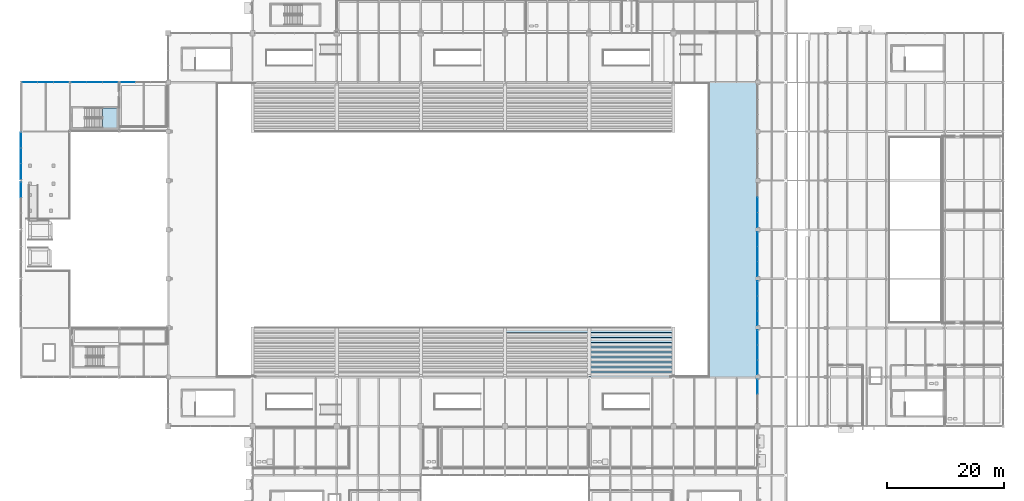
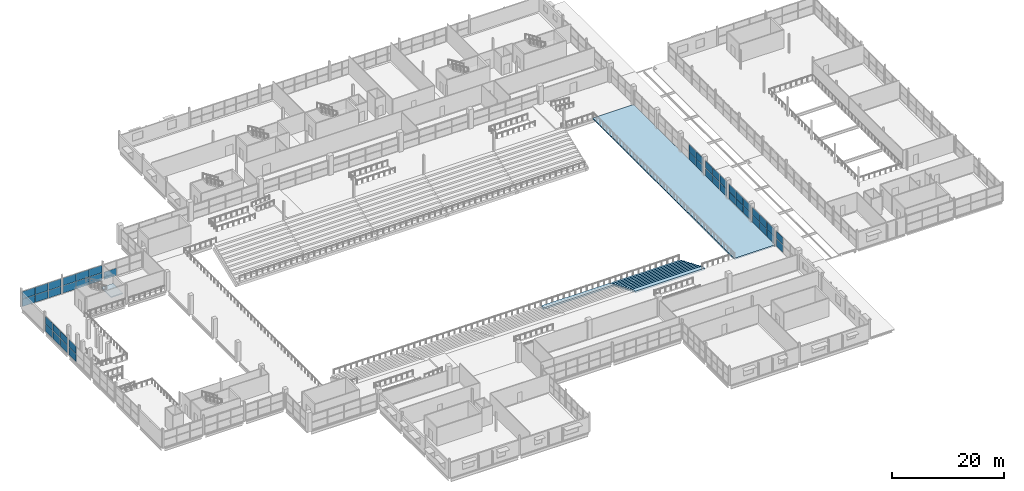
# One storey, part 125 of 161: 45 plates, 13 slabs, 11 elements without a shape of their own.
"""IFC4 building model written with IfcOpenShell, lengths in metres."""

from ifc_helpers import new_model, si_unit, direction, frame, origin, origin_2d, place, context, subcontext, project, spatial, polyline, rectangle, outline, extrude, material, layer, layer_set, type_object, element, aggregate, save


model = new_model("IFC4")

# Units and contexts
model_context = context("Model", 3, precision=1e-05, world=origin(), true_north=direction((0.0, 1.0)))
body_context = subcontext(model_context, "Body", "Model", "MODEL_VIEW")
ifc_project = project(units=[si_unit("LENGTHUNIT", "METRE"), si_unit("AREAUNIT", "SQUARE_METRE"), si_unit("VOLUMEUNIT", "CUBIC_METRE"), si_unit("PLANEANGLEUNIT", "RADIAN"), si_unit("MASSUNIT", "GRAM", prefix="KILO"), si_unit("THERMODYNAMICTEMPERATUREUNIT", "KELVIN")], contexts=[model_context])

# Site, building, storey
site_placement = place(None, origin())
site = spatial("IfcSite", under=ifc_project, at=site_placement, CompositionType="ELEMENT")
building_placement = place(site_placement, origin())
building = spatial("IfcBuilding", under=site, at=building_placement, Name="Nduvali Passage Aquatics Centre", CompositionType="ELEMENT")
storey_placement = place(building_placement, frame((0.0, 0.0, 4.800048828125)))
storey = spatial("IfcBuildingStorey", under=building, at=storey_placement, Name="L01", CompositionType="ELEMENT", Elevation=4.800048828125)

# Curtain wall, plates
ifc_material_1 = material(Name="Aluminium EN AW-6063 T6", Category="aluminium")
curtain_wall_type_1 = type_object("IfcCurtainWallType", Name="ENV-CW-HALL", PredefinedType="NOTDEFINED", material=ifc_material_1)
curtain_wall_1_placement = place(storey_placement, origin())
curtain_wall_1 = element("IfcCurtainWall", 1, at=curtain_wall_1_placement, inside=storey, type_object=curtain_wall_type_1, Name="L01 East Passage Pool Hall Gallery Glazing 015", PredefinedType="NOTDEFINED")
ifc_material_2 = material(Name="Laminated solar-control low-E IGU")
ifc_layer_1 = layer(ifc_material_2, 0.031982421875, Name="Laminated solar-control low-E IGU")
ifc_layer_set_1 = layer_set([ifc_layer_1], Name="Laminated solar-control low-E IGU")
plate_type = type_object("IfcPlateType", Name="ENV-PLT-GLZ32", PredefinedType="CURTAIN_PANEL", material=ifc_layer_set_1)
plate_1_placement = place(storey_placement, frame((126.0, 31.947509765625, 0.06005859375), z_axis=(0.0, 0.0, 1.0), x_axis=(0.0, 1.0, 0.0)))
plate_1 = element("IfcPlate", 2, at=plate_1_placement, type_object=plate_type, Name="East Passage Pool Hall Gallery Glazing Glazed Panel B3-R1", PredefinedType="CURTAIN_PANEL", context=body_context, shape_type="SweptSolid", body=[
    extrude(rectangle(XDim=2.43505859375, YDim=0.031982421875, at=origin_2d()), origin(), (0.0, 0.0, 1.0), 1.6083984375),
])
plate_2_placement = place(storey_placement, frame((126.0, 31.947509765625, 1.728271484375), z_axis=(0.0, 0.0, 1.0), x_axis=(0.0, 1.0, 0.0)))
plate_2 = element("IfcPlate", 3, at=plate_2_placement, type_object=plate_type, Name="East Passage Pool Hall Gallery Glazing Glazed Panel B3-R2", PredefinedType="CURTAIN_PANEL", context=body_context, shape_type="SweptSolid", body=[
    extrude(rectangle(XDim=2.43505859375, YDim=0.031982421875, at=origin_2d()), origin(), (0.0, 0.0, 1.0), 1.6083984375),
])
aggregate(curtain_wall_1, [plate_1, plate_2])

curtain_wall_2_placement = place(storey_placement, origin())
curtain_wall_2 = element("IfcCurtainWall", 4, at=curtain_wall_2_placement, inside=storey, type_object=curtain_wall_type_1, Name="L01 East Passage Pool Hall Gallery Glazing 019", PredefinedType="NOTDEFINED")
plate_3_placement = place(storey_placement, frame((126.0, 35.264892578125, 0.06005859375), z_axis=(0.0, 0.0, 1.0), x_axis=(0.0, 1.0, 0.0)))
plate_3 = element("IfcPlate", 5, at=plate_3_placement, type_object=plate_type, Name="East Passage Pool Hall Gallery Glazing Glazed Panel B1-R1", PredefinedType="CURTAIN_PANEL", context=body_context, shape_type="SweptSolid", body=[
    extrude(rectangle(XDim=2.4599609375, YDim=0.031982421875, at=origin_2d()), origin(), (0.0, 0.0, 1.0), 1.6083984375),
])
plate_4_placement = place(storey_placement, frame((126.0, 35.264892578125, 1.728271484375), z_axis=(0.0, 0.0, 1.0), x_axis=(0.0, 1.0, 0.0)))
plate_4 = element("IfcPlate", 6, at=plate_4_placement, type_object=plate_type, Name="East Passage Pool Hall Gallery Glazing Glazed Panel B1-R2", PredefinedType="CURTAIN_PANEL", context=body_context, shape_type="SweptSolid", body=[
    extrude(rectangle(XDim=2.4599609375, YDim=0.031982421875, at=origin_2d()), origin(), (0.0, 0.0, 1.0), 1.6083984375),
])
plate_5_placement = place(storey_placement, frame((126.0, 37.800048828125, 0.06005859375), z_axis=(0.0, 0.0, 1.0), x_axis=(0.0, 1.0, 0.0)))
plate_5 = element("IfcPlate", 7, at=plate_5_placement, type_object=plate_type, Name="East Passage Pool Hall Gallery Glazing Glazed Panel B2-R1", PredefinedType="CURTAIN_PANEL", context=body_context, shape_type="SweptSolid", body=[
    extrude(rectangle(XDim=2.489990234375, YDim=0.031982421875, at=origin_2d()), origin(), (0.0, 0.0, 1.0), 1.6083984375),
])
plate_6_placement = place(storey_placement, frame((126.0, 37.800048828125, 1.728271484375), z_axis=(0.0, 0.0, 1.0), x_axis=(0.0, 1.0, 0.0)))
plate_6 = element("IfcPlate", 8, at=plate_6_placement, type_object=plate_type, Name="East Passage Pool Hall Gallery Glazing Glazed Panel B2-R2", PredefinedType="CURTAIN_PANEL", context=body_context, shape_type="SweptSolid", body=[
    extrude(rectangle(XDim=2.489990234375, YDim=0.031982421875, at=origin_2d()), origin(), (0.0, 0.0, 1.0), 1.6083984375),
])
plate_7_placement = place(storey_placement, frame((126.0, 40.3349609375, 0.06005859375), z_axis=(0.0, 0.0, 1.0), x_axis=(0.0, 1.0, 0.0)))
plate_7 = element("IfcPlate", 9, at=plate_7_placement, type_object=plate_type, Name="East Passage Pool Hall Gallery Glazing Glazed Panel B3-R1", PredefinedType="CURTAIN_PANEL", context=body_context, shape_type="SweptSolid", body=[
    extrude(rectangle(XDim=2.4599609375, YDim=0.031982421875, at=origin_2d()), origin(), (0.0, 0.0, 1.0), 1.6083984375),
])
plate_8_placement = place(storey_placement, frame((126.0, 40.3349609375, 1.728271484375), z_axis=(0.0, 0.0, 1.0), x_axis=(0.0, 1.0, 0.0)))
plate_8 = element("IfcPlate", 10, at=plate_8_placement, type_object=plate_type, Name="East Passage Pool Hall Gallery Glazing Glazed Panel B3-R2", PredefinedType="CURTAIN_PANEL", context=body_context, shape_type="SweptSolid", body=[
    extrude(rectangle(XDim=2.4599609375, YDim=0.031982421875, at=origin_2d()), origin(), (0.0, 0.0, 1.0), 1.6083984375),
])
aggregate(curtain_wall_2, [plate_3, plate_4, plate_5, plate_6, plate_7, plate_8])

curtain_wall_3_placement = place(storey_placement, origin())
curtain_wall_3 = element("IfcCurtainWall", 11, at=curtain_wall_3_placement, inside=storey, type_object=curtain_wall_type_1, Name="L01 East Passage Pool Hall Gallery Glazing 023", PredefinedType="NOTDEFINED")
plate_9_placement = place(storey_placement, frame((126.0, 43.6650390625, 0.06005859375), z_axis=(0.0, 0.0, 1.0), x_axis=(0.0, 1.0, 0.0)))
plate_9 = element("IfcPlate", 12, at=plate_9_placement, type_object=plate_type, Name="East Passage Pool Hall Gallery Glazing Glazed Panel B1-R1", PredefinedType="CURTAIN_PANEL", context=body_context, shape_type="SweptSolid", body=[
    extrude(rectangle(XDim=2.4599609375, YDim=0.031982421875, at=origin_2d()), origin(), (0.0, 0.0, 1.0), 1.6083984375),
])
plate_10_placement = place(storey_placement, frame((126.0, 43.6650390625, 1.728271484375), z_axis=(0.0, 0.0, 1.0), x_axis=(0.0, 1.0, 0.0)))
plate_10 = element("IfcPlate", 13, at=plate_10_placement, type_object=plate_type, Name="East Passage Pool Hall Gallery Glazing Glazed Panel B1-R2", PredefinedType="CURTAIN_PANEL", context=body_context, shape_type="SweptSolid", body=[
    extrude(rectangle(XDim=2.4599609375, YDim=0.031982421875, at=origin_2d()), origin(), (0.0, 0.0, 1.0), 1.6083984375),
])
plate_11_placement = place(storey_placement, frame((126.0, 46.199951171875, 0.06005859375), z_axis=(0.0, 0.0, 1.0), x_axis=(0.0, 1.0, 0.0)))
plate_11 = element("IfcPlate", 14, at=plate_11_placement, type_object=plate_type, Name="East Passage Pool Hall Gallery Glazing Glazed Panel B2-R1", PredefinedType="CURTAIN_PANEL", context=body_context, shape_type="SweptSolid", body=[
    extrude(rectangle(XDim=2.489990234375, YDim=0.031982421875, at=origin_2d()), origin(), (0.0, 0.0, 1.0), 1.6083984375),
])
plate_12_placement = place(storey_placement, frame((126.0, 46.199951171875, 1.728271484375), z_axis=(0.0, 0.0, 1.0), x_axis=(0.0, 1.0, 0.0)))
plate_12 = element("IfcPlate", 15, at=plate_12_placement, type_object=plate_type, Name="East Passage Pool Hall Gallery Glazing Glazed Panel B2-R2", PredefinedType="CURTAIN_PANEL", context=body_context, shape_type="SweptSolid", body=[
    extrude(rectangle(XDim=2.489990234375, YDim=0.031982421875, at=origin_2d()), origin(), (0.0, 0.0, 1.0), 1.6083984375),
])
plate_13_placement = place(storey_placement, frame((126.0, 48.735107421875, 0.06005859375), z_axis=(0.0, 0.0, 1.0), x_axis=(0.0, 1.0, 0.0)))
plate_13 = element("IfcPlate", 16, at=plate_13_placement, type_object=plate_type, Name="East Passage Pool Hall Gallery Glazing Glazed Panel B3-R1", PredefinedType="CURTAIN_PANEL", context=body_context, shape_type="SweptSolid", body=[
    extrude(rectangle(XDim=2.4599609375, YDim=0.031982421875, at=origin_2d()), origin(), (0.0, 0.0, 1.0), 1.6083984375),
])
plate_14_placement = place(storey_placement, frame((126.0, 48.735107421875, 1.728271484375), z_axis=(0.0, 0.0, 1.0), x_axis=(0.0, 1.0, 0.0)))
plate_14 = element("IfcPlate", 17, at=plate_14_placement, type_object=plate_type, Name="East Passage Pool Hall Gallery Glazing Glazed Panel B3-R2", PredefinedType="CURTAIN_PANEL", context=body_context, shape_type="SweptSolid", body=[
    extrude(rectangle(XDim=2.4599609375, YDim=0.031982421875, at=origin_2d()), origin(), (0.0, 0.0, 1.0), 1.6083984375),
])
aggregate(curtain_wall_3, [plate_9, plate_10, plate_11, plate_12, plate_13, plate_14])

curtain_wall_4_placement = place(storey_placement, origin())
curtain_wall_4 = element("IfcCurtainWall", 18, at=curtain_wall_4_placement, inside=storey, type_object=curtain_wall_type_1, Name="L01 East Passage Pool Hall Gallery Glazing 027", PredefinedType="NOTDEFINED")
plate_15_placement = place(storey_placement, frame((126.0, 52.06494140625, 0.06005859375), z_axis=(0.0, 0.0, 1.0), x_axis=(0.0, 1.0, 0.0)))
plate_15 = element("IfcPlate", 19, at=plate_15_placement, type_object=plate_type, Name="East Passage Pool Hall Gallery Glazing Glazed Panel B1-R1", PredefinedType="CURTAIN_PANEL", context=body_context, shape_type="SweptSolid", body=[
    extrude(rectangle(XDim=2.4599609375, YDim=0.031982421875, at=origin_2d()), origin(), (0.0, 0.0, 1.0), 1.6083984375),
])
plate_16_placement = place(storey_placement, frame((126.0, 52.06494140625, 1.728271484375), z_axis=(0.0, 0.0, 1.0), x_axis=(0.0, 1.0, 0.0)))
plate_16 = element("IfcPlate", 20, at=plate_16_placement, type_object=plate_type, Name="East Passage Pool Hall Gallery Glazing Glazed Panel B1-R2", PredefinedType="CURTAIN_PANEL", context=body_context, shape_type="SweptSolid", body=[
    extrude(rectangle(XDim=2.4599609375, YDim=0.031982421875, at=origin_2d()), origin(), (0.0, 0.0, 1.0), 1.6083984375),
])
plate_17_placement = place(storey_placement, frame((126.0, 54.60009765625, 0.06005859375), z_axis=(0.0, 0.0, 1.0), x_axis=(0.0, 1.0, 0.0)))
plate_17 = element("IfcPlate", 21, at=plate_17_placement, type_object=plate_type, Name="East Passage Pool Hall Gallery Glazing Glazed Panel B2-R1", PredefinedType="CURTAIN_PANEL", context=body_context, shape_type="SweptSolid", body=[
    extrude(rectangle(XDim=2.489990234375, YDim=0.031982421875, at=origin_2d()), origin(), (0.0, 0.0, 1.0), 1.6083984375),
])
plate_18_placement = place(storey_placement, frame((126.0, 54.60009765625, 1.728271484375), z_axis=(0.0, 0.0, 1.0), x_axis=(0.0, 1.0, 0.0)))
plate_18 = element("IfcPlate", 22, at=plate_18_placement, type_object=plate_type, Name="East Passage Pool Hall Gallery Glazing Glazed Panel B2-R2", PredefinedType="CURTAIN_PANEL", context=body_context, shape_type="SweptSolid", body=[
    extrude(rectangle(XDim=2.489990234375, YDim=0.031982421875, at=origin_2d()), origin(), (0.0, 0.0, 1.0), 1.6083984375),
])
plate_19_placement = place(storey_placement, frame((126.0, 57.135009765625, 0.06005859375), z_axis=(0.0, 0.0, 1.0), x_axis=(0.0, 1.0, 0.0)))
plate_19 = element("IfcPlate", 23, at=plate_19_placement, type_object=plate_type, Name="East Passage Pool Hall Gallery Glazing Glazed Panel B3-R1", PredefinedType="CURTAIN_PANEL", context=body_context, shape_type="SweptSolid", body=[
    extrude(rectangle(XDim=2.4599609375, YDim=0.031982421875, at=origin_2d()), origin(), (0.0, 0.0, 1.0), 1.6083984375),
])
plate_20_placement = place(storey_placement, frame((126.0, 57.135009765625, 1.728271484375), z_axis=(0.0, 0.0, 1.0), x_axis=(0.0, 1.0, 0.0)))
plate_20 = element("IfcPlate", 24, at=plate_20_placement, type_object=plate_type, Name="East Passage Pool Hall Gallery Glazing Glazed Panel B3-R2", PredefinedType="CURTAIN_PANEL", context=body_context, shape_type="SweptSolid", body=[
    extrude(rectangle(XDim=2.4599609375, YDim=0.031982421875, at=origin_2d()), origin(), (0.0, 0.0, 1.0), 1.6083984375),
])
aggregate(curtain_wall_4, [plate_15, plate_16, plate_17, plate_18, plate_19, plate_20])

curtain_wall_5_placement = place(storey_placement, origin())
curtain_wall_5 = element("IfcCurtainWall", 25, at=curtain_wall_5_placement, inside=storey, type_object=curtain_wall_type_1, Name="L01 East Passage Pool Hall Gallery Glazing 030", PredefinedType="NOTDEFINED")
plate_21_placement = place(storey_placement, frame((126.0, 60.465087890625, 0.06005859375), z_axis=(0.0, 0.0, 1.0), x_axis=(0.0, 1.0, 0.0)))
plate_21 = element("IfcPlate", 26, at=plate_21_placement, type_object=plate_type, Name="East Passage Pool Hall Gallery Glazing Glazed Panel B1-R1", PredefinedType="CURTAIN_PANEL", context=body_context, shape_type="SweptSolid", body=[
    extrude(rectangle(XDim=2.4599609375, YDim=0.031982421875, at=origin_2d()), origin(), (0.0, 0.0, 1.0), 1.6083984375),
])
plate_22_placement = place(storey_placement, frame((126.0, 60.465087890625, 1.728271484375), z_axis=(0.0, 0.0, 1.0), x_axis=(0.0, 1.0, 0.0)))
plate_22 = element("IfcPlate", 27, at=plate_22_placement, type_object=plate_type, Name="East Passage Pool Hall Gallery Glazing Glazed Panel B1-R2", PredefinedType="CURTAIN_PANEL", context=body_context, shape_type="SweptSolid", body=[
    extrude(rectangle(XDim=2.4599609375, YDim=0.031982421875, at=origin_2d()), origin(), (0.0, 0.0, 1.0), 1.6083984375),
])
plate_23_placement = place(storey_placement, frame((126.0, 63.0, 0.06005859375), z_axis=(0.0, 0.0, 1.0), x_axis=(0.0, 1.0, 0.0)))
plate_23 = element("IfcPlate", 28, at=plate_23_placement, type_object=plate_type, Name="East Passage Pool Hall Gallery Glazing Glazed Panel B2-R1", PredefinedType="CURTAIN_PANEL", context=body_context, shape_type="SweptSolid", body=[
    extrude(rectangle(XDim=2.489990234375, YDim=0.031982421875, at=origin_2d()), origin(), (0.0, 0.0, 1.0), 1.6083984375),
])
plate_24_placement = place(storey_placement, frame((126.0, 63.0, 1.728271484375), z_axis=(0.0, 0.0, 1.0), x_axis=(0.0, 1.0, 0.0)))
plate_24 = element("IfcPlate", 29, at=plate_24_placement, type_object=plate_type, Name="East Passage Pool Hall Gallery Glazing Glazed Panel B2-R2", PredefinedType="CURTAIN_PANEL", context=body_context, shape_type="SweptSolid", body=[
    extrude(rectangle(XDim=2.489990234375, YDim=0.031982421875, at=origin_2d()), origin(), (0.0, 0.0, 1.0), 1.6083984375),
])
aggregate(curtain_wall_5, [plate_21, plate_22, plate_23, plate_24])

curtain_wall_type_2 = type_object("IfcCurtainWallType", Name="ENV-CW-DIVE", PredefinedType="NOTDEFINED", material=ifc_material_1)
curtain_wall_6_placement = place(storey_placement, origin())
curtain_wall_6 = element("IfcCurtainWall", 30, at=curtain_wall_6_placement, inside=storey, type_object=curtain_wall_type_2, Name="L01 West Diving Tower Viewing CW 138", PredefinedType="NOTDEFINED")
plate_25_placement = place(storey_placement, frame((0.0, 65.651611328125, 0.06005859375), z_axis=(0.0, 0.0, 1.0), x_axis=(0.0, 1.0, 0.0)))
plate_25 = element("IfcPlate", 31, at=plate_25_placement, type_object=plate_type, Name="West Diving Tower Viewing CW Glazed Panel B3-R1", PredefinedType="CURTAIN_PANEL", context=body_context, shape_type="SweptSolid", body=[
    extrude(rectangle(XDim=2.57666015625, YDim=0.031982421875, at=origin_2d()), origin(), (0.0, 0.0, 1.0), 1.6083984375),
])
plate_26_placement = place(storey_placement, frame((0.0, 65.651611328125, 1.728271484375), z_axis=(0.0, 0.0, 1.0), x_axis=(0.0, 1.0, 0.0)))
plate_26 = element("IfcPlate", 32, at=plate_26_placement, type_object=plate_type, Name="West Diving Tower Viewing CW Glazed Panel B3-R2", PredefinedType="CURTAIN_PANEL", context=body_context, shape_type="SweptSolid", body=[
    extrude(rectangle(XDim=2.57666015625, YDim=0.031982421875, at=origin_2d()), origin(), (0.0, 0.0, 1.0), 1.6083984375),
])
aggregate(curtain_wall_6, [plate_25, plate_26])

curtain_wall_7_placement = place(storey_placement, origin())
curtain_wall_7 = element("IfcCurtainWall", 33, at=curtain_wall_7_placement, inside=storey, type_object=curtain_wall_type_2, Name="L01 West Diving Tower Viewing CW 143", PredefinedType="NOTDEFINED")
plate_27_placement = place(storey_placement, frame((0.0, 68.75341796875, 0.06005859375), z_axis=(0.0, 0.0, 1.0), x_axis=(0.0, 1.0, 0.0)))
plate_27 = element("IfcPlate", 34, at=plate_27_placement, type_object=plate_type, Name="West Diving Tower Viewing CW Glazed Panel B1-R1", PredefinedType="CURTAIN_PANEL", context=body_context, shape_type="SweptSolid", body=[
    extrude(rectangle(XDim=2.586669921875, YDim=0.031982421875, at=origin_2d()), origin(), (0.0, 0.0, 1.0), 1.6083984375),
])
plate_28_placement = place(storey_placement, frame((0.0, 68.75341796875, 1.728271484375), z_axis=(0.0, 0.0, 1.0), x_axis=(0.0, 1.0, 0.0)))
plate_28 = element("IfcPlate", 35, at=plate_28_placement, type_object=plate_type, Name="West Diving Tower Viewing CW Glazed Panel B1-R2", PredefinedType="CURTAIN_PANEL", context=body_context, shape_type="SweptSolid", body=[
    extrude(rectangle(XDim=2.586669921875, YDim=0.031982421875, at=origin_2d()), origin(), (0.0, 0.0, 1.0), 1.6083984375),
])
plate_29_placement = place(storey_placement, frame((0.0, 71.4150390625, 0.06005859375), z_axis=(0.0, 0.0, 1.0), x_axis=(0.0, 1.0, 0.0)))
plate_29 = element("IfcPlate", 36, at=plate_29_placement, type_object=plate_type, Name="West Diving Tower Viewing CW Glazed Panel B2-R1", PredefinedType="CURTAIN_PANEL", context=body_context, shape_type="SweptSolid", body=[
    extrude(rectangle(XDim=2.61669921875, YDim=0.031982421875, at=origin_2d()), origin(), (0.0, 0.0, 1.0), 1.6083984375),
])
plate_30_placement = place(storey_placement, frame((0.0, 71.4150390625, 1.728271484375), z_axis=(0.0, 0.0, 1.0), x_axis=(0.0, 1.0, 0.0)))
plate_30 = element("IfcPlate", 37, at=plate_30_placement, type_object=plate_type, Name="West Diving Tower Viewing CW Glazed Panel B2-R2", PredefinedType="CURTAIN_PANEL", context=body_context, shape_type="SweptSolid", body=[
    extrude(rectangle(XDim=2.61669921875, YDim=0.031982421875, at=origin_2d()), origin(), (0.0, 0.0, 1.0), 1.6083984375),
])
plate_31_placement = place(storey_placement, frame((0.0, 74.07666015625, 0.06005859375), z_axis=(0.0, 0.0, 1.0), x_axis=(0.0, 1.0, 0.0)))
plate_31 = element("IfcPlate", 38, at=plate_31_placement, type_object=plate_type, Name="West Diving Tower Viewing CW Glazed Panel B3-R1", PredefinedType="CURTAIN_PANEL", context=body_context, shape_type="SweptSolid", body=[
    extrude(rectangle(XDim=2.586669921875, YDim=0.031982421875, at=origin_2d()), origin(), (0.0, 0.0, 1.0), 1.6083984375),
])
plate_32_placement = place(storey_placement, frame((0.0, 74.07666015625, 1.728271484375), z_axis=(0.0, 0.0, 1.0), x_axis=(0.0, 1.0, 0.0)))
plate_32 = element("IfcPlate", 39, at=plate_32_placement, type_object=plate_type, Name="West Diving Tower Viewing CW Glazed Panel B3-R2", PredefinedType="CURTAIN_PANEL", context=body_context, shape_type="SweptSolid", body=[
    extrude(rectangle(XDim=2.586669921875, YDim=0.031982421875, at=origin_2d()), origin(), (0.0, 0.0, 1.0), 1.6083984375),
])
aggregate(curtain_wall_7, [plate_27, plate_28, plate_29, plate_30, plate_31, plate_32])

curtain_wall_8_placement = place(storey_placement, origin())
curtain_wall_8 = element("IfcCurtainWall", 40, at=curtain_wall_8_placement, inside=storey, type_object=curtain_wall_type_2, Name="L01 Diving Gallery Clerestory CW 155", PredefinedType="NOTDEFINED")
plate_33_placement = place(storey_placement, frame((1.514892578125, 84.0, 0.06005859375), z_axis=(0.0, 0.0, 1.0), x_axis=(1.0, 0.0, 0.0)))
plate_33 = element("IfcPlate", 41, at=plate_33_placement, type_object=plate_type, Name="Diving Gallery Clerestory CW Glazed Panel B1-R1", PredefinedType="CURTAIN_PANEL", context=body_context, shape_type="SweptSolid", body=[
    extrude(rectangle(XDim=2.610107421875, YDim=0.031982421875, at=origin_2d()), origin(), (0.0, 0.0, 1.0), 1.6083984375),
])
plate_34_placement = place(storey_placement, frame((1.514892578125, 84.0, 1.728271484375), z_axis=(0.0, 0.0, 1.0), x_axis=(1.0, 0.0, 0.0)))
plate_34 = element("IfcPlate", 42, at=plate_34_placement, type_object=plate_type, Name="Diving Gallery Clerestory CW Glazed Panel B1-R2", PredefinedType="CURTAIN_PANEL", context=body_context, shape_type="SweptSolid", body=[
    extrude(rectangle(XDim=2.610107421875, YDim=0.031982421875, at=origin_2d()), origin(), (0.0, 0.0, 1.0), 1.6083984375),
])
plate_35_placement = place(storey_placement, frame((4.199951171875, 84.0, 0.06005859375), z_axis=(0.0, 0.0, 1.0), x_axis=(1.0, 0.0, 0.0)))
plate_35 = element("IfcPlate", 43, at=plate_35_placement, type_object=plate_type, Name="Diving Gallery Clerestory CW Glazed Panel B2-R1", PredefinedType="CURTAIN_PANEL", context=body_context, shape_type="SweptSolid", body=[
    extrude(rectangle(XDim=2.639892578125, YDim=0.031982421875, at=origin_2d()), origin(), (0.0, 0.0, 1.0), 1.6083984375),
])
plate_36_placement = place(storey_placement, frame((4.199951171875, 84.0, 1.728271484375), z_axis=(0.0, 0.0, 1.0), x_axis=(1.0, 0.0, 0.0)))
plate_36 = element("IfcPlate", 44, at=plate_36_placement, type_object=plate_type, Name="Diving Gallery Clerestory CW Glazed Panel B2-R2", PredefinedType="CURTAIN_PANEL", context=body_context, shape_type="SweptSolid", body=[
    extrude(rectangle(XDim=2.639892578125, YDim=0.031982421875, at=origin_2d()), origin(), (0.0, 0.0, 1.0), 1.6083984375),
])
plate_37_placement = place(storey_placement, frame((6.885009765625, 84.0, 0.06005859375), z_axis=(0.0, 0.0, 1.0), x_axis=(1.0, 0.0, 0.0)))
plate_37 = element("IfcPlate", 45, at=plate_37_placement, type_object=plate_type, Name="Diving Gallery Clerestory CW Glazed Panel B3-R1", PredefinedType="CURTAIN_PANEL", context=body_context, shape_type="SweptSolid", body=[
    extrude(rectangle(XDim=2.610107421875, YDim=0.031982421875, at=origin_2d()), origin(), (0.0, 0.0, 1.0), 1.6083984375),
])
plate_38_placement = place(storey_placement, frame((6.885009765625, 84.0, 1.728271484375), z_axis=(0.0, 0.0, 1.0), x_axis=(1.0, 0.0, 0.0)))
plate_38 = element("IfcPlate", 46, at=plate_38_placement, type_object=plate_type, Name="Diving Gallery Clerestory CW Glazed Panel B3-R2", PredefinedType="CURTAIN_PANEL", context=body_context, shape_type="SweptSolid", body=[
    extrude(rectangle(XDim=2.610107421875, YDim=0.031982421875, at=origin_2d()), origin(), (0.0, 0.0, 1.0), 1.6083984375),
])
aggregate(curtain_wall_8, [plate_33, plate_34, plate_35, plate_36, plate_37, plate_38])

curtain_wall_9_placement = place(storey_placement, origin())
curtain_wall_9 = element("IfcCurtainWall", 47, at=curtain_wall_9_placement, inside=storey, type_object=curtain_wall_type_2, Name="L01 Diving Gallery Clerestory CW 157", PredefinedType="NOTDEFINED")
plate_39_placement = place(storey_placement, frame((9.9150390625, 84.0, 0.06005859375), z_axis=(0.0, 0.0, 1.0), x_axis=(1.0, 0.0, 0.0)))
plate_39 = element("IfcPlate", 48, at=plate_39_placement, type_object=plate_type, Name="Diving Gallery Clerestory CW Glazed Panel B1-R1", PredefinedType="CURTAIN_PANEL", context=body_context, shape_type="SweptSolid", body=[
    extrude(rectangle(XDim=2.610107421875, YDim=0.031982421875, at=origin_2d()), origin(), (0.0, 0.0, 1.0), 1.6083984375),
])
plate_40_placement = place(storey_placement, frame((9.9150390625, 84.0, 1.728271484375), z_axis=(0.0, 0.0, 1.0), x_axis=(1.0, 0.0, 0.0)))
plate_40 = element("IfcPlate", 49, at=plate_40_placement, type_object=plate_type, Name="Diving Gallery Clerestory CW Glazed Panel B1-R2", PredefinedType="CURTAIN_PANEL", context=body_context, shape_type="SweptSolid", body=[
    extrude(rectangle(XDim=2.610107421875, YDim=0.031982421875, at=origin_2d()), origin(), (0.0, 0.0, 1.0), 1.6083984375),
])
plate_41_placement = place(storey_placement, frame((12.60009765625, 84.0, 0.06005859375), z_axis=(0.0, 0.0, 1.0), x_axis=(1.0, 0.0, 0.0)))
plate_41 = element("IfcPlate", 50, at=plate_41_placement, type_object=plate_type, Name="Diving Gallery Clerestory CW Glazed Panel B2-R1", PredefinedType="CURTAIN_PANEL", context=body_context, shape_type="SweptSolid", body=[
    extrude(rectangle(XDim=2.639892578125, YDim=0.031982421875, at=origin_2d()), origin(), (0.0, 0.0, 1.0), 1.6083984375),
])
plate_42_placement = place(storey_placement, frame((12.60009765625, 84.0, 1.728271484375), z_axis=(0.0, 0.0, 1.0), x_axis=(1.0, 0.0, 0.0)))
plate_42 = element("IfcPlate", 51, at=plate_42_placement, type_object=plate_type, Name="Diving Gallery Clerestory CW Glazed Panel B2-R2", PredefinedType="CURTAIN_PANEL", context=body_context, shape_type="SweptSolid", body=[
    extrude(rectangle(XDim=2.639892578125, YDim=0.031982421875, at=origin_2d()), origin(), (0.0, 0.0, 1.0), 1.6083984375),
])
plate_43_placement = place(storey_placement, frame((15.284912109375, 84.0, 0.06005859375), z_axis=(0.0, 0.0, 1.0), x_axis=(1.0, 0.0, 0.0)))
plate_43 = element("IfcPlate", 52, at=plate_43_placement, type_object=plate_type, Name="Diving Gallery Clerestory CW Glazed Panel B3-R1", PredefinedType="CURTAIN_PANEL", context=body_context, shape_type="SweptSolid", body=[
    extrude(rectangle(XDim=2.610107421875, YDim=0.031982421875, at=origin_2d()), origin(), (0.0, 0.0, 1.0), 1.6083984375),
])
plate_44_placement = place(storey_placement, frame((15.284912109375, 84.0, 1.728271484375), z_axis=(0.0, 0.0, 1.0), x_axis=(1.0, 0.0, 0.0)))
plate_44 = element("IfcPlate", 53, at=plate_44_placement, type_object=plate_type, Name="Diving Gallery Clerestory CW Glazed Panel B3-R2", PredefinedType="CURTAIN_PANEL", context=body_context, shape_type="SweptSolid", body=[
    extrude(rectangle(XDim=2.610107421875, YDim=0.031982421875, at=origin_2d()), origin(), (0.0, 0.0, 1.0), 1.6083984375),
])
aggregate(curtain_wall_9, [plate_39, plate_40, plate_41, plate_42, plate_43, plate_44])

# Curtain wall, plate
curtain_wall_10_placement = place(storey_placement, origin())
curtain_wall_10 = element("IfcCurtainWall", 54, at=curtain_wall_10_placement, inside=storey, type_object=curtain_wall_type_2, Name="L01 Diving Gallery Clerestory CW 159", PredefinedType="NOTDEFINED")
plate_45_placement = place(storey_placement, frame((18.277587890625, 84.0, 0.06005859375), z_axis=(0.0, 0.0, 1.0), x_axis=(1.0, 0.0, 0.0)))
plate_45 = element("IfcPlate", 55, at=plate_45_placement, type_object=plate_type, Name="Diving Gallery Clerestory CW Glazed Panel B1-R1", PredefinedType="CURTAIN_PANEL", context=body_context, shape_type="SweptSolid", body=[
    extrude(rectangle(XDim=2.534912109375, YDim=0.031982421875, at=origin_2d()), origin(), (0.0, 0.0, 1.0), 1.6083984375),
])
aggregate(curtain_wall_10, [plate_45])

# Stair, slab
ifc_material_3 = material(Name="Concrete C40/50", Category="concrete")
stair_type = type_object("IfcStairType", Name="INT-STR-CORE164", PredefinedType="HALF_TURN_STAIR", material=ifc_material_3)
stair_placement = place(storey_placement, origin())
stair = element("IfcStair", 56, at=stair_placement, inside=storey, type_object=stair_type, Name="L01 ST12", PredefinedType="HALF_TURN_STAIR")
ifc_layer_2 = layer(ifc_material_3, 0.219970703125, Name="Concrete C40/50")
ifc_layer_set_2 = layer_set([ifc_layer_2], Name="Concrete C40/50")
slab_type_1 = type_object("IfcSlabType", Name="INT-SLB-LAND170", PredefinedType="LANDING", material=ifc_layer_set_2)
slab_1_placement = place(storey_placement, frame((0.0, 0.0, 1.8798828125)))
slab_1 = element("IfcSlab", 57, at=slab_1_placement, type_object=slab_type_1, Name="ST12 landing 1", PredefinedType="LANDING", context=body_context, shape_type="SweptSolid", body=[
    extrude(outline(polyline([(13.97998046875, 76.199951171875), (16.39990234375, 76.199951171875), (16.39990234375, 79.6298828125), (13.97998046875, 79.6298828125), (13.97998046875, 76.199951171875)])), origin(), (0.0, 0.0, 1.0), 0.219970703125),
])
aggregate(stair, [slab_1])

# Slabs
ifc_layer_3 = layer(ifc_material_3, 0.280029296875, Name="Concrete C40/50")
ifc_layer_set_3 = layer_set([ifc_layer_3], Name="Concrete C40/50")
slab_type_2 = type_object("IfcSlabType", Name="STR-SLB-FLR280", PredefinedType="FLOOR", material=ifc_layer_set_3)
slab_2_placement = place(storey_placement, frame((0.0, 0.0, -0.280029296875)))
element("IfcSlab", 58, at=slab_2_placement, inside=storey, type_object=slab_type_2, Name="L01 East Passage Overlook Gallery Slab", PredefinedType="FLOOR", context=body_context, shape_type="SweptSolid", body=[
    extrude(outline(polyline([(117.60009765625, 33.60009765625), (126.0, 33.60009765625), (126.0, 84.0), (117.60009765625, 84.0), (117.60009765625, 33.60009765625)])), origin(), (0.0, 0.0, 1.0), 0.280029296875),
])
ifc_material_4 = material(Name="Precast concrete C40/50", Category="concrete")
ifc_layer_4 = layer(ifc_material_4, 0.360107421875, Name="Precast concrete C40/50")
ifc_layer_set_4 = layer_set([ifc_layer_4], Name="Precast concrete C40/50")
slab_type_3 = type_object("IfcSlabType", Name="STR-SLB-TIER360", PredefinedType="USERDEFINED", material=ifc_layer_set_4)
slab_3_placement = place(storey_placement, frame((0.0, 0.0, -3.60009765625)))
element("IfcSlab", 59, at=slab_3_placement, inside=storey, type_object=slab_type_3, Name="Stand South Bay 4 Seating Tier Row 01", ObjectType="SEATING TIER", PredefinedType="USERDEFINED", context=body_context, shape_type="SweptSolid", body=[
    extrude(outline(polyline([(82.800048828125, 41.25), (97.199951171875, 41.25), (97.199951171875, 41.919921875), (96.85009765625, 41.919921875), (96.85009765625, 42.10009765625), (82.800048828125, 42.10009765625), (82.800048828125, 41.25)])), origin(), (0.0, 0.0, 1.0), 0.360107421875),
])
slab_4_placement = place(storey_placement, frame((0.0, 0.0, -3.60009765625)))
element("IfcSlab", 60, at=slab_4_placement, inside=storey, type_object=slab_type_3, Name="Stand South Bay 5 Seating Tier Row 01", ObjectType="SEATING TIER", PredefinedType="USERDEFINED", context=body_context, shape_type="SweptSolid", body=[
    extrude(outline(polyline([(97.199951171875, 41.25), (111.60009765625, 41.25), (111.60009765625, 41.919921875), (111.25, 41.919921875), (111.25, 42.10009765625), (97.199951171875, 42.10009765625), (97.199951171875, 41.25)])), origin(), (0.0, 0.0, 1.0), 0.360107421875),
])
slab_5_placement = place(storey_placement, frame((0.0, 0.0, -3.239990234375)))
element("IfcSlab", 61, at=slab_5_placement, inside=storey, type_object=slab_type_3, Name="Stand South Bay 5 Seating Tier Row 02", ObjectType="SEATING TIER", PredefinedType="USERDEFINED", context=body_context, shape_type="SweptSolid", body=[
    extrude(outline(polyline([(97.199951171875, 40.39990234375), (111.60009765625, 40.39990234375), (111.60009765625, 41.070068359375), (111.25, 41.070068359375), (111.25, 41.25), (97.199951171875, 41.25), (97.199951171875, 40.39990234375)])), origin(), (0.0, 0.0, 1.0), 0.35986328125),
])
slab_6_placement = place(storey_placement, frame((0.0, 0.0, -2.880126953125)))
element("IfcSlab", 62, at=slab_6_placement, inside=storey, type_object=slab_type_3, Name="Stand South Bay 5 Seating Tier Row 03", ObjectType="SEATING TIER", PredefinedType="USERDEFINED", context=body_context, shape_type="SweptSolid", body=[
    extrude(outline(polyline([(97.199951171875, 39.550048828125), (111.60009765625, 39.550048828125), (111.60009765625, 40.219970703125), (111.25, 40.219970703125), (111.25, 40.39990234375), (97.199951171875, 40.39990234375), (97.199951171875, 39.550048828125)])), origin(), (0.0, 0.0, 1.0), 0.360107421875),
])
slab_7_placement = place(storey_placement, frame((0.0, 0.0, -2.52001953125)))
element("IfcSlab", 63, at=slab_7_placement, inside=storey, type_object=slab_type_3, Name="Stand South Bay 5 Seating Tier Row 04", ObjectType="SEATING TIER", PredefinedType="USERDEFINED", context=body_context, shape_type="SweptSolid", body=[
    extrude(outline(polyline([(97.199951171875, 38.699951171875), (111.60009765625, 38.699951171875), (111.60009765625, 39.3701171875), (111.25, 39.3701171875), (111.25, 39.550048828125), (97.199951171875, 39.550048828125), (97.199951171875, 38.699951171875)])), origin(), (0.0, 0.0, 1.0), 0.35986328125),
])
slab_8_placement = place(storey_placement, frame((0.0, 0.0, -2.16015625)))
element("IfcSlab", 64, at=slab_8_placement, inside=storey, type_object=slab_type_3, Name="Stand South Bay 5 Seating Tier Row 05", ObjectType="SEATING TIER", PredefinedType="USERDEFINED", context=body_context, shape_type="SweptSolid", body=[
    extrude(outline(polyline([(97.199951171875, 37.85009765625), (111.60009765625, 37.85009765625), (111.60009765625, 38.52001953125), (111.25, 38.52001953125), (111.25, 38.699951171875), (97.199951171875, 38.699951171875), (97.199951171875, 37.85009765625)])), origin(), (0.0, 0.0, 1.0), 0.360107421875),
])
slab_9_placement = place(storey_placement, frame((0.0, 0.0, -1.800048828125)))
element("IfcSlab", 65, at=slab_9_placement, inside=storey, type_object=slab_type_3, Name="Stand South Bay 5 Seating Tier Row 06", ObjectType="SEATING TIER", PredefinedType="USERDEFINED", context=body_context, shape_type="SweptSolid", body=[
    extrude(outline(polyline([(97.199951171875, 37.0), (111.60009765625, 37.0), (111.60009765625, 37.669921875), (111.25, 37.669921875), (111.25, 37.85009765625), (97.199951171875, 37.85009765625), (97.199951171875, 37.0)])), origin(), (0.0, 0.0, 1.0), 0.360107421875),
])
slab_10_placement = place(storey_placement, frame((0.0, 0.0, -1.43994140625)))
element("IfcSlab", 66, at=slab_10_placement, inside=storey, type_object=slab_type_3, Name="Stand South Bay 5 Seating Tier Row 07", ObjectType="SEATING TIER", PredefinedType="USERDEFINED", context=body_context, shape_type="SweptSolid", body=[
    extrude(outline(polyline([(97.199951171875, 36.14990234375), (111.60009765625, 36.14990234375), (111.60009765625, 36.820068359375), (111.25, 36.820068359375), (111.25, 37.0), (97.199951171875, 37.0), (97.199951171875, 36.14990234375)])), origin(), (0.0, 0.0, 1.0), 0.35986328125),
])
slab_11_placement = place(storey_placement, frame((0.0, 0.0, -1.080078125)))
element("IfcSlab", 67, at=slab_11_placement, inside=storey, type_object=slab_type_3, Name="Stand South Bay 5 Seating Tier Row 08", ObjectType="SEATING TIER", PredefinedType="USERDEFINED", context=body_context, shape_type="SweptSolid", body=[
    extrude(outline(polyline([(97.199951171875, 35.300048828125), (111.60009765625, 35.300048828125), (111.60009765625, 35.969970703125), (111.25, 35.969970703125), (111.25, 36.14990234375), (97.199951171875, 36.14990234375), (97.199951171875, 35.300048828125)])), origin(), (0.0, 0.0, 1.0), 0.360107421875),
])
slab_12_placement = place(storey_placement, frame((0.0, 0.0, -0.719970703125)))
element("IfcSlab", 68, at=slab_12_placement, inside=storey, type_object=slab_type_3, Name="Stand South Bay 5 Seating Tier Row 09", ObjectType="SEATING TIER", PredefinedType="USERDEFINED", context=body_context, shape_type="SweptSolid", body=[
    extrude(outline(polyline([(97.199951171875, 34.449951171875), (111.60009765625, 34.449951171875), (111.60009765625, 35.1201171875), (111.25, 35.1201171875), (111.25, 35.300048828125), (97.199951171875, 35.300048828125), (97.199951171875, 34.449951171875)])), origin(), (0.0, 0.0, 1.0), 0.35986328125),
])
slab_13_placement = place(storey_placement, frame((0.0, 0.0, -0.360107421875)))
element("IfcSlab", 69, at=slab_13_placement, inside=storey, type_object=slab_type_3, Name="Stand South Bay 5 Seating Tier Row 10", ObjectType="SEATING TIER", PredefinedType="USERDEFINED", context=body_context, shape_type="SweptSolid", body=[
    extrude(outline(polyline([(97.199951171875, 33.60009765625), (111.60009765625, 33.60009765625), (111.60009765625, 34.27001953125), (111.25, 34.27001953125), (111.25, 34.449951171875), (97.199951171875, 34.449951171875), (97.199951171875, 33.60009765625)])), origin(), (0.0, 0.0, 1.0), 0.360107421875),
])

save(model, "model.ifc")
